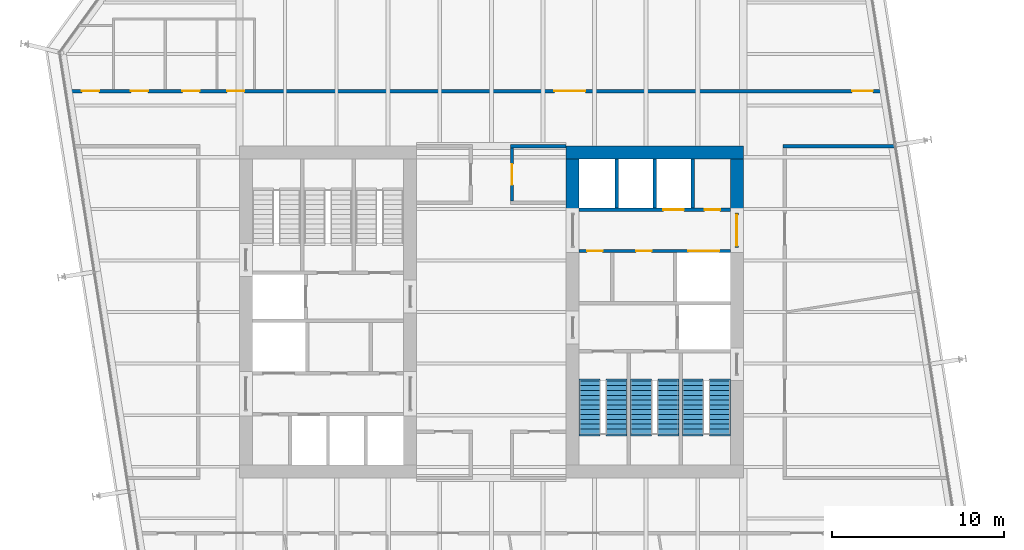
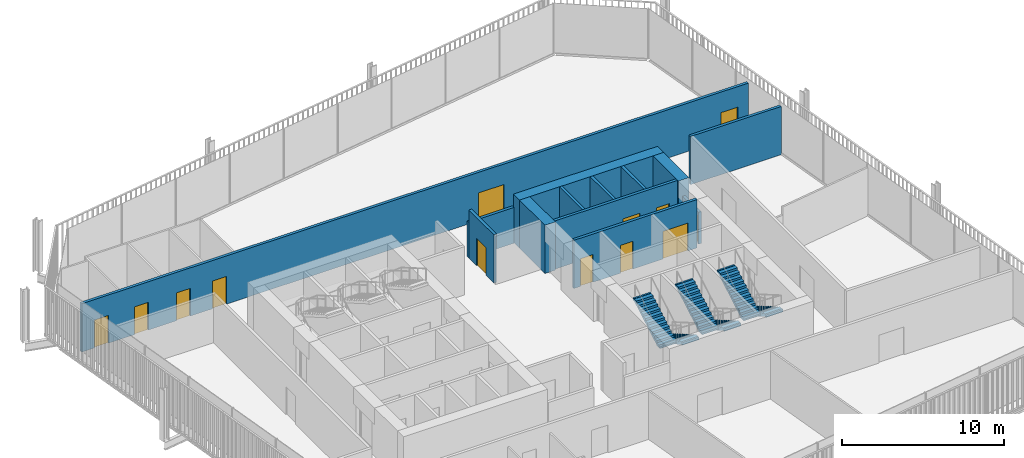
# One storey, part 19 of 21: 13 doors, 13 walls, 6 stair flights, 13 openings, 3 elements without a shape of their own.
"""IFC4 building model written with IfcOpenShell, lengths in metres."""

from ifc_helpers import new_model, si_unit, direction, frame, frame_2d, origin, place, context, subcontext, project, spatial, polyline, rectangle, outline, extrude, material, layer, layer_set, type_object, element, fill, aggregate, save


model = new_model("IFC4")

# Units and contexts
model_context = context("Model", 3, precision=1e-05, world=origin(), true_north=direction((0.0, 1.0)))
body_context = subcontext(model_context, "Body", "Model", "MODEL_VIEW")
ifc_project = project(units=[si_unit("LENGTHUNIT", "METRE"), si_unit("AREAUNIT", "SQUARE_METRE"), si_unit("VOLUMEUNIT", "CUBIC_METRE"), si_unit("PLANEANGLEUNIT", "RADIAN"), si_unit("MASSUNIT", "GRAM", prefix="KILO")], contexts=[model_context])

# Site, building, storey
site_placement = place(None, origin())
site = spatial("IfcSite", under=ifc_project, at=site_placement, CompositionType="ELEMENT")
building_placement = place(site_placement, origin())
building = spatial("IfcBuilding", under=site, at=building_placement, Name="Millrace Tower", CompositionType="ELEMENT")
storey_placement = place(building_placement, frame((0.0, 0.0, 191.699951171875)))
storey = spatial("IfcBuildingStorey", under=building, at=storey_placement, Name="L43", CompositionType="ELEMENT", Elevation=191.699951171875)

# Walls
ifc_material_1 = material(Name="Concrete C70", Category="concrete")
ifc_layer_1 = layer(ifc_material_1, 0.75)
ifc_layer_set_1 = layer_set([ifc_layer_1], Name="Concrete C70")
wall_type_1 = type_object("IfcWallType", Name="Core wall 750 Concrete C70", PredefinedType="SHEAR", material=ifc_layer_set_1)
wall_1_placement = place(storey_placement, frame((14.64990234375, 9.27490234375, 0.0), z_axis=(0.0, 0.0, 1.0), x_axis=(-1.0, 0.0, 0.0)))
element("IfcWall", 1, at=wall_1_placement, inside=storey, type_object=wall_type_1, Name="Core wall E L43", PredefinedType="SHEAR", context=body_context, shape_type="SweptSolid", body=[
    extrude(rectangle(XDim=10.2998046875, YDim=0.75, at=frame_2d((5.14990234375, 0.0))), origin(), (0.0, 0.0, 1.0), 3.650146484375),
])
for number, where, z_axis, x_axis, name in (
    (2, (14.27490234375, 8.89990234375, 0.0), (0.0, 0.0, 1.0), (0.0, -1.0, 0.0), "Core wall E L43"),
    (3, (4.72509765625, 8.89990234375, 0.0), (0.0, 0.0, 1.0), (0.0, -1.0, 0.0), "Core wall E L43"),
):
    element("IfcWall", number, at=place(storey_placement, frame(where, z_axis=z_axis, x_axis=x_axis)), inside=storey, type_object=wall_type_1, Name=name, PredefinedType="SHEAR", context=body_context, shape_type="SweptSolid", body=[
        extrude(rectangle(XDim=3.14990234375, YDim=0.75, at=frame_2d((1.574951171875, 0.0))), origin(), (0.0, 0.0, 1.0), 3.650146484375),
    ])
ifc_material_2 = material(Name="Masonry partition, fire-rated", Category="masonry")
ifc_layer_2 = layer(ifc_material_2, 0.199951171875)
ifc_layer_set_2 = layer_set([ifc_layer_2], Name="Masonry partition, fire-rated")
wall_type_2 = type_object("IfcWallType", Name="Corridor wall 200", PredefinedType="PARTITIONING", material=ifc_layer_set_2)
wall_2_placement = place(storey_placement, frame((1.10009765625, 9.64990234375, 0.0), z_axis=(0.0, 0.0, 1.0), x_axis=(1.0, 0.0, 0.0)))
element("IfcWall", 4, at=wall_2_placement, inside=storey, type_object=wall_type_2, Name="Corridor wall L43", PredefinedType="PARTITIONING", context=body_context, shape_type="SweptSolid", body=[
    extrude(rectangle(XDim=3.25, YDim=0.199951171875, at=frame_2d((1.625, 0.0))), origin(), (0.0, 0.0, 1.0), 2.70263671875),
])
wall_3_placement = place(storey_placement, frame((16.949951171875, 9.64990234375, 0.0), z_axis=(0.0, 0.0, 1.0), x_axis=(1.0, 0.0, 0.0)))
element("IfcWall", 5, at=wall_3_placement, inside=storey, type_object=wall_type_2, Name="Corridor wall L43", PredefinedType="PARTITIONING", context=body_context, shape_type="SweptSolid", body=[
    extrude(rectangle(XDim=6.489501953125, YDim=0.199951171875, at=frame_2d((3.24462890625, 0.0))), origin(), (0.0, 0.0, 1.0), 3.650146484375),
])

# Wall, openings, doors
wall_4_placement = place(storey_placement, frame((-24.7138671875, 12.85009765625, 0.0), z_axis=(0.0, 0.0, 1.0), x_axis=(1.0, 0.0, 0.0)))
wall_4 = element("IfcWall", 6, at=wall_4_placement, inside=storey, type_object=wall_type_2, Name="Corridor wall L43", PredefinedType="PARTITIONING", context=body_context, shape_type="SweptSolid", body=[
    extrude(rectangle(XDim=47.646484375, YDim=0.199951171875, at=frame_2d((23.8232421875, 0.0))), origin(), (0.0, 0.0, 1.0), 3.650146484375),
])
opening_1_placement = place(wall_4_placement, frame((28.37353515625, 0.0, 0.0)))
opening_1 = element("IfcOpeningElement", 7, at=opening_1_placement, cuts=wall_4, Name="Opening 43-P005", PredefinedType="OPENING", context=body_context, shape_type="SweptSolid", body=[
    extrude(rectangle(XDim=1.800048828125, YDim=2.10009765625, at=frame_2d((0.89990234375, 1.050048828125))), frame((0.0, 0.10986328125, 0.0), z_axis=(0.0, -1.0, 0.0), x_axis=(1.0, 0.0, 0.0)), (0.0, 0.0, 1.0), 0.219970703125),
])
opening_2_placement = place(wall_4_placement, frame((0.90087890625, 0.0, 0.0)))
opening_2 = element("IfcOpeningElement", 8, at=opening_2_placement, cuts=wall_4, Name="Opening 43-P006", PredefinedType="OPENING", context=body_context, shape_type="SweptSolid", body=[
    extrude(rectangle(XDim=1.0, YDim=2.10009765625, at=frame_2d((0.5, 1.050048828125))), frame((0.0, 0.10986328125, 0.0), z_axis=(0.0, -1.0, 0.0), x_axis=(1.0, 0.0, 0.0)), (0.0, 0.0, 1.0), 0.219970703125),
])
opening_3_placement = place(wall_4_placement, frame((3.7509765625, 0.0, 0.0)))
opening_3 = element("IfcOpeningElement", 9, at=opening_3_placement, cuts=wall_4, Name="Opening 43-P017", PredefinedType="OPENING", context=body_context, shape_type="SweptSolid", body=[
    extrude(rectangle(XDim=1.0, YDim=2.10009765625, at=frame_2d((0.5, 1.050048828125))), frame((0.0, 0.10986328125, 0.0), z_axis=(0.0, -1.0, 0.0), x_axis=(1.0, 0.0, 0.0)), (0.0, 0.0, 1.0), 0.219970703125),
])
opening_4_placement = place(wall_4_placement, frame((6.7509765625, 0.0, 0.0)))
opening_4 = element("IfcOpeningElement", 10, at=opening_4_placement, cuts=wall_4, Name="Opening 43-P018", PredefinedType="OPENING", context=body_context, shape_type="SweptSolid", body=[
    extrude(rectangle(XDim=1.0, YDim=2.10009765625, at=frame_2d((0.5, 1.050048828125))), frame((0.0, 0.10986328125, 0.0), z_axis=(0.0, -1.0, 0.0), x_axis=(1.0, 0.0, 0.0)), (0.0, 0.0, 1.0), 0.219970703125),
])
opening_5_placement = place(wall_4_placement, frame((9.35107421875, 0.0, 0.0)))
opening_5 = element("IfcOpeningElement", 11, at=opening_5_placement, cuts=wall_4, Name="Opening 43-P019", PredefinedType="OPENING", context=body_context, shape_type="SweptSolid", body=[
    extrude(rectangle(XDim=1.0, YDim=2.10009765625, at=frame_2d((0.5, 1.050048828125))), frame((0.0, 0.10986328125, 0.0), z_axis=(0.0, -1.0, 0.0), x_axis=(1.0, 0.0, 0.0)), (0.0, 0.0, 1.0), 0.219970703125),
])
opening_6_placement = place(wall_4_placement, frame((45.696044921875, 0.0, 0.0)))
opening_6 = element("IfcOpeningElement", 12, at=opening_6_placement, cuts=wall_4, Name="Opening 43-P020", PredefinedType="OPENING", context=body_context, shape_type="SweptSolid", body=[
    extrude(rectangle(XDim=1.199951171875, YDim=2.10009765625, at=frame_2d((0.60009765625, 1.050048828125))), frame((0.0, 0.10986328125, 0.0), z_axis=(0.0, -1.0, 0.0), x_axis=(1.0, 0.0, 0.0)), (0.0, 0.0, 1.0), 0.219970703125),
])
ifc_material_3 = material(Name="Steel door set, fire-rated", Category="steel")
door_type_1 = type_object("IfcDoorType", Name="Corridor door 1000 x 2100", OperationType="SINGLE_SWING_LEFT", PredefinedType="DOOR", material=ifc_material_3)
door_1_placement = place(opening_2_placement, origin())
door_1 = element("IfcDoor", 13, at=door_1_placement, inside=storey, type_object=door_type_1, Name="Door 43-P006", OperationType="SINGLE_SWING_LEFT", OverallHeight=2.10009765625, OverallWidth=1.0, PredefinedType="DOOR", context=body_context, shape_type="SweptSolid", body=[
    extrude(rectangle(XDim=1.0, YDim=2.10009765625, at=frame_2d((0.5, 1.050048828125))), frame((0.0, 0.02490234375, 0.0), z_axis=(0.0, -1.0, 0.0), x_axis=(1.0, 0.0, 0.0)), (0.0, 0.0, 1.0), 0.050048828125),
])
fill(opening_2, door_1)
door_2_placement = place(opening_3_placement, origin())
door_2 = element("IfcDoor", 14, at=door_2_placement, inside=storey, type_object=door_type_1, Name="Door 43-P017", OperationType="SINGLE_SWING_LEFT", OverallHeight=2.10009765625, OverallWidth=1.0, PredefinedType="DOOR", context=body_context, shape_type="SweptSolid", body=[
    extrude(rectangle(XDim=1.0, YDim=2.10009765625, at=frame_2d((0.5, 1.050048828125))), frame((0.0, 0.02490234375, 0.0), z_axis=(0.0, -1.0, 0.0), x_axis=(1.0, 0.0, 0.0)), (0.0, 0.0, 1.0), 0.050048828125),
])
fill(opening_3, door_2)
door_3_placement = place(opening_4_placement, origin())
door_3 = element("IfcDoor", 15, at=door_3_placement, inside=storey, type_object=door_type_1, Name="Door 43-P018", OperationType="SINGLE_SWING_LEFT", OverallHeight=2.10009765625, OverallWidth=1.0, PredefinedType="DOOR", context=body_context, shape_type="SweptSolid", body=[
    extrude(rectangle(XDim=1.0, YDim=2.10009765625, at=frame_2d((0.5, 1.050048828125))), frame((0.0, 0.02490234375, 0.0), z_axis=(0.0, -1.0, 0.0), x_axis=(1.0, 0.0, 0.0)), (0.0, 0.0, 1.0), 0.050048828125),
])
fill(opening_4, door_3)
door_4_placement = place(opening_5_placement, origin())
door_4 = element("IfcDoor", 16, at=door_4_placement, inside=storey, type_object=door_type_1, Name="Door 43-P019", OperationType="SINGLE_SWING_LEFT", OverallHeight=2.10009765625, OverallWidth=1.0, PredefinedType="DOOR", context=body_context, shape_type="SweptSolid", body=[
    extrude(rectangle(XDim=1.0, YDim=2.10009765625, at=frame_2d((0.5, 1.050048828125))), frame((0.0, 0.02490234375, 0.0), z_axis=(0.0, -1.0, 0.0), x_axis=(1.0, 0.0, 0.0)), (0.0, 0.0, 1.0), 0.050048828125),
])
fill(opening_5, door_4)
ifc_material_4 = material(Name="Steel door set, fire-rated", Category="steel")
door_type_2 = type_object("IfcDoorType", Name="Corridor door 1200 x 2100", OperationType="SINGLE_SWING_LEFT", PredefinedType="DOOR", material=ifc_material_4)
door_5_placement = place(opening_6_placement, frame((1.199951171875, 0.0, 0.0), z_axis=(0.0, 0.0, 1.0), x_axis=(-1.0, 0.0, 0.0)))
door_5 = element("IfcDoor", 17, at=door_5_placement, inside=storey, type_object=door_type_2, Name="Door 43-P020", OperationType="SINGLE_SWING_LEFT", OverallHeight=2.10009765625, OverallWidth=1.199951171875, PredefinedType="DOOR", context=body_context, shape_type="SweptSolid", body=[
    extrude(rectangle(XDim=1.199951171875, YDim=2.10009765625, at=frame_2d((0.60009765625, 1.050048828125))), frame((0.0, 0.02490234375, 0.0), z_axis=(0.0, -1.0, 0.0), x_axis=(1.0, 0.0, 0.0)), (0.0, 0.0, 1.0), 0.050048828125),
])
fill(opening_6, door_5)
ifc_material_5 = material(Name="Steel door set, fire-rated", Category="steel")
door_type_3 = type_object("IfcDoorType", Name="Corridor door 1800 x 2100", OperationType="DOUBLE_DOOR_SINGLE_SWING", PredefinedType="DOOR", material=ifc_material_5)
door_6_placement = place(opening_1_placement, frame((1.800048828125, 0.0, 0.0), z_axis=(0.0, 0.0, 1.0), x_axis=(-1.0, 0.0, 0.0)))
door_6 = element("IfcDoor", 18, at=door_6_placement, inside=storey, type_object=door_type_3, Name="Door 43-P005", OperationType="DOUBLE_DOOR_SINGLE_SWING", OverallHeight=2.10009765625, OverallWidth=1.800048828125, PredefinedType="DOOR", context=body_context, shape_type="SweptSolid", body=[
    extrude(rectangle(XDim=1.800048828125, YDim=2.10009765625, at=frame_2d((0.89990234375, 1.050048828125))), frame((0.0, 0.02490234375, 0.0), z_axis=(0.0, -1.0, 0.0), x_axis=(1.0, 0.0, 0.0)), (0.0, 0.0, 1.0), 0.050048828125),
])
fill(opening_1, door_6)

# Wall, opening, door
wall_5_placement = place(storey_placement, frame((1.199951171875, 6.449951171875, 0.0), z_axis=(0.0, 0.0, 1.0), x_axis=(0.0, 1.0, 0.0)))
wall_5 = element("IfcWall", 19, at=wall_5_placement, inside=storey, type_object=wall_type_2, Name="Corridor wall L43", PredefinedType="PARTITIONING", context=body_context, shape_type="SweptSolid", body=[
    extrude(rectangle(XDim=3.10009765625, YDim=0.199951171875, at=frame_2d((1.550048828125, 0.0))), origin(), (0.0, 0.0, 1.0), 3.650146484375),
])
opening_7_placement = place(wall_5_placement, frame((0.949951171875, 0.0, 0.0)))
opening_7 = element("IfcOpeningElement", 20, at=opening_7_placement, cuts=wall_5, Name="Opening 43-P002", PredefinedType="OPENING", context=body_context, shape_type="SweptSolid", body=[
    extrude(rectangle(XDim=1.199951171875, YDim=2.10009765625, at=frame_2d((0.60009765625, 1.050048828125))), frame((0.0, 0.10986328125, 0.0), z_axis=(0.0, -1.0, 0.0), x_axis=(1.0, 0.0, 0.0)), (0.0, 0.0, 1.0), 0.219970703125),
])
door_7_placement = place(opening_7_placement, frame((1.199951171875, 0.0, 0.0), z_axis=(0.0, 0.0, 1.0), x_axis=(-1.0, 0.0, 0.0)))
door_7 = element("IfcDoor", 21, at=door_7_placement, inside=storey, type_object=door_type_2, Name="Door 43-P002", OperationType="SINGLE_SWING_RIGHT", OverallHeight=2.10009765625, OverallWidth=1.199951171875, PredefinedType="DOOR", context=body_context, shape_type="SweptSolid", body=[
    extrude(rectangle(XDim=1.199951171875, YDim=2.10009765625, at=frame_2d((0.60009765625, 1.050048828125))), frame((0.0, 0.02490234375, 0.0), z_axis=(0.0, -1.0, 0.0), x_axis=(1.0, 0.0, 0.0)), (0.0, 0.0, 1.0), 0.050048828125),
])
fill(opening_7, door_7)

# Wall, openings, doors
ifc_material_6 = material(Name="Masonry partition, fire-rated", Category="masonry")
ifc_layer_3 = layer(ifc_material_6, 0.199951171875)
ifc_layer_set_3 = layer_set([ifc_layer_3], Name="Masonry partition, fire-rated")
wall_type_3 = type_object("IfcWallType", Name="Lift shaft wall 200", PredefinedType="PARTITIONING", material=ifc_layer_set_3)
wall_6_placement = place(storey_placement, frame((13.89990234375, 5.949951171875, 0.0), z_axis=(0.0, 0.0, 1.0), x_axis=(-1.0, 0.0, 0.0)))
wall_6 = element("IfcWall", 22, at=wall_6_placement, inside=storey, type_object=wall_type_3, Name="Lift shaft wall E L43", PredefinedType="PARTITIONING", context=body_context, shape_type="SweptSolid", body=[
    extrude(rectangle(XDim=8.7998046875, YDim=0.199951171875, at=frame_2d((4.39990234375, 0.0))), origin(), (0.0, 0.0, 1.0), 3.650146484375),
])
opening_8_placement = place(wall_6_placement, frame((2.699951171875, 0.0, 0.0)))
opening_8 = element("IfcOpeningElement", 23, at=opening_8_placement, cuts=wall_6, Name="Opening 43-LD10", PredefinedType="OPENING", context=body_context, shape_type="SweptSolid", body=[
    extrude(rectangle(XDim=1.199951171875, YDim=2.10009765625, at=frame_2d((0.60009765625, 1.050048828125))), frame((0.0, 0.10986328125, 0.0), z_axis=(0.0, -1.0, 0.0), x_axis=(1.0, 0.0, 0.0)), (0.0, 0.0, 1.0), 0.219970703125),
])
opening_9_placement = place(wall_6_placement, frame((0.60009765625, 0.0, 0.0)))
opening_9 = element("IfcOpeningElement", 24, at=opening_9_placement, cuts=wall_6, Name="Opening 43-C014", PredefinedType="OPENING", context=body_context, shape_type="SweptSolid", body=[
    extrude(rectangle(XDim=0.89990234375, YDim=2.10009765625, at=frame_2d((0.449951171875, 1.050048828125))), frame((0.0, 0.10986328125, 0.0), z_axis=(0.0, -1.0, 0.0), x_axis=(1.0, 0.0, 0.0)), (0.0, 0.0, 1.0), 0.219970703125),
])
ifc_material_7 = material(Name="Stainless steel, fire-rated", Category="steel")
door_type_4 = type_object("IfcDoorType", Name="Lift landing door 1200 x 2100", OperationType="DOUBLE_DOOR_SLIDING", PredefinedType="DOOR", material=ifc_material_7)
door_8_placement = place(opening_8_placement, origin())
door_8 = element("IfcDoor", 25, at=door_8_placement, inside=storey, type_object=door_type_4, Name="Lift landing door LF10 L43", OperationType="DOUBLE_DOOR_SLIDING", OverallHeight=2.10009765625, OverallWidth=1.199951171875, PredefinedType="DOOR", context=body_context, shape_type="SweptSolid", body=[
    extrude(rectangle(XDim=1.199951171875, YDim=2.10009765625, at=frame_2d((0.60009765625, 1.050048828125))), frame((0.0, 0.02490234375, 0.0), z_axis=(0.0, -1.0, 0.0), x_axis=(1.0, 0.0, 0.0)), (0.0, 0.0, 1.0), 0.050048828125),
])
fill(opening_8, door_8)
ifc_material_8 = material(Name="Steel door, fire-rated", Category="steel")
door_type_5 = type_object("IfcDoorType", Name="Service room door 900 x 2100", OperationType="SINGLE_SWING_LEFT", PredefinedType="DOOR", material=ifc_material_8)
door_9_placement = place(opening_9_placement, frame((0.89990234375, 0.0, 0.0), z_axis=(0.0, 0.0, 1.0), x_axis=(-1.0, 0.0, 0.0)))
door_9 = element("IfcDoor", 26, at=door_9_placement, inside=storey, type_object=door_type_5, Name="Service room door 43-C014", OperationType="SINGLE_SWING_RIGHT", OverallHeight=2.10009765625, OverallWidth=0.89990234375, PredefinedType="DOOR", context=body_context, shape_type="SweptSolid", body=[
    extrude(rectangle(XDim=0.89990234375, YDim=2.10009765625, at=frame_2d((0.449951171875, 1.050048828125))), frame((0.0, 0.02490234375, 0.0), z_axis=(0.0, -1.0, 0.0), x_axis=(1.0, 0.0, 0.0)), (0.0, 0.0, 1.0), 0.050048828125),
])
fill(opening_9, door_9)

wall_7_placement = place(storey_placement, frame((13.89990234375, 3.550048828125, 0.0), z_axis=(0.0, 0.0, 1.0), x_axis=(-1.0, 0.0, 0.0)))
wall_7 = element("IfcWall", 27, at=wall_7_placement, inside=storey, type_object=wall_type_3, Name="Lift shaft wall E L43", PredefinedType="PARTITIONING", context=body_context, shape_type="SweptSolid", body=[
    extrude(rectangle(XDim=8.7998046875, YDim=0.199951171875, at=frame_2d((4.39990234375, 0.0))), origin(), (0.0, 0.0, 1.0), 3.650146484375),
])
opening_10_placement = place(wall_7_placement, frame((0.64990234375, 0.0, 0.0)))
opening_10 = element("IfcOpeningElement", 28, at=opening_10_placement, cuts=wall_7, Name="Opening 43-LD13", PredefinedType="OPENING", context=body_context, shape_type="SweptSolid", body=[
    extrude(rectangle(XDim=1.800048828125, YDim=2.10009765625, at=frame_2d((0.89990234375, 1.050048828125))), frame((0.0, 0.10986328125, 0.0), z_axis=(0.0, -1.0, 0.0), x_axis=(1.0, 0.0, 0.0)), (0.0, 0.0, 1.0), 0.219970703125),
])
opening_11_placement = place(wall_7_placement, frame((4.58740234375, 0.0, 0.0)))
opening_11 = element("IfcOpeningElement", 29, at=opening_11_placement, cuts=wall_7, Name="Opening 43-C015", PredefinedType="OPENING", context=body_context, shape_type="SweptSolid", body=[
    extrude(rectangle(XDim=0.89990234375, YDim=2.10009765625, at=frame_2d((0.449951171875, 1.050048828125))), frame((0.0, 0.10986328125, 0.0), z_axis=(0.0, -1.0, 0.0), x_axis=(1.0, 0.0, 0.0)), (0.0, 0.0, 1.0), 0.219970703125),
])
opening_12_placement = place(wall_7_placement, frame((7.4375, 0.0, 0.0)))
opening_12 = element("IfcOpeningElement", 30, at=opening_12_placement, cuts=wall_7, Name="Opening 43-C016", PredefinedType="OPENING", context=body_context, shape_type="SweptSolid", body=[
    extrude(rectangle(XDim=0.89990234375, YDim=2.10009765625, at=frame_2d((0.449951171875, 1.050048828125))), frame((0.0, 0.10986328125, 0.0), z_axis=(0.0, -1.0, 0.0), x_axis=(1.0, 0.0, 0.0)), (0.0, 0.0, 1.0), 0.219970703125),
])
ifc_material_9 = material(Name="Stainless steel, fire-rated", Category="steel")
door_type_6 = type_object("IfcDoorType", Name="Lift landing door 1800 x 2100", OperationType="DOUBLE_DOOR_SLIDING", PredefinedType="DOOR", material=ifc_material_9)
door_10_placement = place(opening_10_placement, origin())
door_10 = element("IfcDoor", 31, at=door_10_placement, inside=storey, type_object=door_type_6, Name="Lift landing door LF13 L43", OperationType="DOUBLE_DOOR_SLIDING", OverallHeight=2.10009765625, OverallWidth=1.800048828125, PredefinedType="DOOR", context=body_context, shape_type="SweptSolid", body=[
    extrude(rectangle(XDim=1.800048828125, YDim=2.10009765625, at=frame_2d((0.89990234375, 1.050048828125))), frame((0.0, 0.02490234375, 0.0), z_axis=(0.0, -1.0, 0.0), x_axis=(1.0, 0.0, 0.0)), (0.0, 0.0, 1.0), 0.050048828125),
])
fill(opening_10, door_10)
door_11_placement = place(opening_11_placement, origin())
door_11 = element("IfcDoor", 32, at=door_11_placement, inside=storey, type_object=door_type_5, Name="Service room door 43-C015", OperationType="SINGLE_SWING_RIGHT", OverallHeight=2.10009765625, OverallWidth=0.89990234375, PredefinedType="DOOR", context=body_context, shape_type="SweptSolid", body=[
    extrude(rectangle(XDim=0.89990234375, YDim=2.10009765625, at=frame_2d((0.449951171875, 1.050048828125))), frame((0.0, 0.02490234375, 0.0), z_axis=(0.0, -1.0, 0.0), x_axis=(1.0, 0.0, 0.0)), (0.0, 0.0, 1.0), 0.050048828125),
])
fill(opening_11, door_11)
door_12_placement = place(opening_12_placement, origin())
door_12 = element("IfcDoor", 33, at=door_12_placement, inside=storey, type_object=door_type_5, Name="Service room door 43-C016", OperationType="SINGLE_SWING_RIGHT", OverallHeight=2.10009765625, OverallWidth=0.89990234375, PredefinedType="DOOR", context=body_context, shape_type="SweptSolid", body=[
    extrude(rectangle(XDim=0.89990234375, YDim=2.10009765625, at=frame_2d((0.449951171875, 1.050048828125))), frame((0.0, 0.02490234375, 0.0), z_axis=(0.0, -1.0, 0.0), x_axis=(1.0, 0.0, 0.0)), (0.0, 0.0, 1.0), 0.050048828125),
])
fill(opening_12, door_12)

# Walls
for number, where, z_axis, x_axis, name in (
    (34, (11.699951171875, 8.89990234375, 0.0), (0.0, 0.0, 1.0), (0.0, -1.0, 0.0), "Lift shaft wall E L43"),
    (35, (9.5, 8.89990234375, 0.0), (0.0, 0.0, 1.0), (0.0, -1.0, 0.0), "Lift shaft wall E L43"),
    (36, (7.300048828125, 8.89990234375, 0.0), (0.0, 0.0, 1.0), (0.0, -1.0, 0.0), "Lift shaft wall E L43"),
):
    element("IfcWall", number, at=place(storey_placement, frame(where, z_axis=z_axis, x_axis=x_axis)), inside=storey, type_object=wall_type_3, Name=name, PredefinedType="PARTITIONING", context=body_context, shape_type="SweptSolid", body=[
        extrude(rectangle(XDim=2.849853515625, YDim=0.199951171875, at=frame_2d((1.4248046875, 0.0))), origin(), (0.0, 0.0, 1.0), 3.650146484375),
    ])

# Wall, opening, door
ifc_material_10 = material(Name="Masonry partition, fire-rated", Category="masonry")
ifc_layer_4 = layer(ifc_material_10, 0.199951171875)
ifc_layer_set_4 = layer_set([ifc_layer_4], Name="Masonry partition, fire-rated")
wall_type_4 = type_object("IfcWallType", Name="Lobby wall 200", PredefinedType="PARTITIONING", material=ifc_layer_set_4)
wall_8_placement = place(storey_placement, frame((14.27490234375, 5.75, 0.0), z_axis=(0.0, 0.0, 1.0), x_axis=(0.0, -1.0, 0.0)))
wall_8 = element("IfcWall", 37, at=wall_8_placement, inside=storey, type_object=wall_type_4, Name="Lobby wall E L43", PredefinedType="PARTITIONING", context=body_context, shape_type="SweptSolid", body=[
    extrude(rectangle(XDim=2.0, YDim=0.199951171875, at=frame_2d((1.0, 0.0))), origin(), (0.0, 0.0, 1.0), 2.400146484375),
])
opening_13_placement = place(wall_8_placement, frame((0.10009765625, 0.0, 0.0)))
opening_13 = element("IfcOpeningElement", 38, at=opening_13_placement, cuts=wall_8, Name="Opening 43-C010", PredefinedType="OPENING", context=body_context, shape_type="SweptSolid", body=[
    extrude(rectangle(XDim=1.800048828125, YDim=2.10009765625, at=frame_2d((0.89990234375, 1.050048828125))), frame((0.0, 0.10986328125, 0.0), z_axis=(0.0, -1.0, 0.0), x_axis=(1.0, 0.0, 0.0)), (0.0, 0.0, 1.0), 0.219970703125),
])
ifc_material_11 = material(Name="Steel door, fire-rated", Category="steel")
door_type_7 = type_object("IfcDoorType", Name="Lobby door 1800 x 2100", OperationType="DOUBLE_DOOR_SINGLE_SWING", PredefinedType="DOOR", material=ifc_material_11)
door_13_placement = place(opening_13_placement, origin())
door_13 = element("IfcDoor", 39, at=door_13_placement, inside=storey, type_object=door_type_7, Name="Lobby door 43-C010", OperationType="DOUBLE_DOOR_SINGLE_SWING", OverallHeight=2.10009765625, OverallWidth=1.800048828125, PredefinedType="DOOR", context=body_context, shape_type="SweptSolid", body=[
    extrude(rectangle(XDim=1.800048828125, YDim=2.10009765625, at=frame_2d((0.89990234375, 1.050048828125))), frame((0.0, 0.02490234375, 0.0), z_axis=(0.0, -1.0, 0.0), x_axis=(1.0, 0.0, 0.0)), (0.0, 0.0, 1.0), 0.050048828125),
])
fill(opening_13, door_13)

# Stair, stair flights
ifc_material_12 = material(Name="Concrete C35", Category="concrete")
stair_type = type_object("IfcStairType", Name="Exit stair", PredefinedType="HALF_TURN_STAIR", material=ifc_material_12)
placement = place(storey_placement, origin())
stair_1 = element("IfcStair", 40, at=placement, inside=storey, type_object=stair_type, Name="Stair 1 E L43", PredefinedType="HALF_TURN_STAIR")
ifc_material_13 = material(Name="Concrete C35", Category="concrete")
stair_flight_type = type_object("IfcStairFlightType", Name="Exit stair flight", PredefinedType="STRAIGHT", material=ifc_material_13)
stair_flight_1_placement = place(storey_placement, frame((13.2900390625, -4.0, 0.0), z_axis=(0.0, 0.0, 1.0), x_axis=(0.0, -1.0, 0.0)))
stair_flight_1 = element("IfcStairFlight", 41, at=stair_flight_1_placement, type_object=stair_flight_type, Name="ST12 flight 1", NumberOfRisers=12, NumberOfTreads=11, PredefinedType="STRAIGHT", RiserHeight=0.1625, TreadLength=0.28, context=body_context, shape_type="SweptSolid", body=[
    extrude(outline(polyline([(-0.1201171875, -0.0400390625), (-0.1201171875, 0.0), (0.0, 0.0), (0.0, 0.16259765625), (0.280029296875, 0.16259765625), (0.280029296875, 0.324951171875), (0.56005859375, 0.324951171875), (0.56005859375, 0.487548828125), (0.840087890625, 0.487548828125), (0.840087890625, 0.64990234375), (1.1201171875, 0.64990234375), (1.1201171875, 0.8125), (1.39990234375, 0.8125), (1.39990234375, 0.97509765625), (1.679931640625, 0.97509765625), (1.679931640625, 1.137451171875), (1.9599609375, 1.137451171875), (1.9599609375, 1.300048828125), (2.239990234375, 1.300048828125), (2.239990234375, 1.46240234375), (2.52001953125, 1.46240234375), (2.52001953125, 1.625), (2.800048828125, 1.625), (2.800048828125, 1.78759765625), (3.080078125, 1.78759765625), (3.080078125, 1.8076171875), (3.199951171875, 1.8076171875), (3.199951171875, 1.6142578125), (3.080078125, 1.6142578125), (0.298583984375, 0.0), (0.298583984375, -0.0400390625), (-0.1201171875, -0.0400390625)])), frame((0.0, 0.60986328125, 0.0), z_axis=(0.0, -1.0, 0.0), x_axis=(1.0, 0.0, 0.0)), (0.0, 0.0, 1.0), 1.219970703125),
])
stair_flight_2_placement = place(storey_placement, frame((11.7099609375, -7.080078125, 1.949951171875), z_axis=(0.0, 0.0, 1.0), x_axis=(0.0, 1.0, 0.0)))
stair_flight_2 = element("IfcStairFlight", 42, at=stair_flight_2_placement, type_object=stair_flight_type, Name="ST12 flight 2", NumberOfRisers=12, NumberOfTreads=11, PredefinedType="STRAIGHT", RiserHeight=0.1625, TreadLength=0.28, context=body_context, shape_type="SweptSolid", body=[
    extrude(outline(polyline([(-0.1201171875, -0.0400390625), (-0.1201171875, 0.0), (0.0, 0.0), (0.0, 0.16259765625), (0.280029296875, 0.16259765625), (0.280029296875, 0.324951171875), (0.56005859375, 0.324951171875), (0.56005859375, 0.487548828125), (0.840087890625, 0.487548828125), (0.840087890625, 0.64990234375), (1.1201171875, 0.64990234375), (1.1201171875, 0.8125), (1.39990234375, 0.8125), (1.39990234375, 0.97509765625), (1.679931640625, 0.97509765625), (1.679931640625, 1.137451171875), (1.9599609375, 1.137451171875), (1.9599609375, 1.300048828125), (2.239990234375, 1.300048828125), (2.239990234375, 1.46240234375), (2.52001953125, 1.46240234375), (2.52001953125, 1.625), (2.800048828125, 1.625), (2.800048828125, 1.78759765625), (3.080078125, 1.78759765625), (3.080078125, 1.8076171875), (3.199951171875, 1.8076171875), (3.199951171875, 1.6142578125), (3.080078125, 1.6142578125), (0.298583984375, 0.0), (0.298583984375, -0.0400390625), (-0.1201171875, -0.0400390625)])), frame((0.0, 0.60986328125, 0.0), z_axis=(0.0, -1.0, 0.0), x_axis=(1.0, 0.0, 0.0)), (0.0, 0.0, 1.0), 1.219970703125),
])
aggregate(stair_1, [stair_flight_1, stair_flight_2])

stair_2 = element("IfcStair", 43, at=placement, inside=storey, type_object=stair_type, Name="Stair 2 E L43", PredefinedType="HALF_TURN_STAIR")
stair_flight_3_placement = place(storey_placement, frame((10.2900390625, -4.0, 0.0), z_axis=(0.0, 0.0, 1.0), x_axis=(0.0, -1.0, 0.0)))
stair_flight_3 = element("IfcStairFlight", 44, at=stair_flight_3_placement, type_object=stair_flight_type, Name="ST12 flight 1", NumberOfRisers=12, NumberOfTreads=11, PredefinedType="STRAIGHT", RiserHeight=0.1625, TreadLength=0.28, context=body_context, shape_type="SweptSolid", body=[
    extrude(outline(polyline([(-0.1201171875, -0.0400390625), (-0.1201171875, 0.0), (0.0, 0.0), (0.0, 0.16259765625), (0.280029296875, 0.16259765625), (0.280029296875, 0.324951171875), (0.56005859375, 0.324951171875), (0.56005859375, 0.487548828125), (0.840087890625, 0.487548828125), (0.840087890625, 0.64990234375), (1.1201171875, 0.64990234375), (1.1201171875, 0.8125), (1.39990234375, 0.8125), (1.39990234375, 0.97509765625), (1.679931640625, 0.97509765625), (1.679931640625, 1.137451171875), (1.9599609375, 1.137451171875), (1.9599609375, 1.300048828125), (2.239990234375, 1.300048828125), (2.239990234375, 1.46240234375), (2.52001953125, 1.46240234375), (2.52001953125, 1.625), (2.800048828125, 1.625), (2.800048828125, 1.78759765625), (3.080078125, 1.78759765625), (3.080078125, 1.8076171875), (3.199951171875, 1.8076171875), (3.199951171875, 1.6142578125), (3.080078125, 1.6142578125), (0.298583984375, 0.0), (0.298583984375, -0.0400390625), (-0.1201171875, -0.0400390625)])), frame((0.0, 0.60986328125, 0.0), z_axis=(0.0, -1.0, 0.0), x_axis=(1.0, 0.0, 0.0)), (0.0, 0.0, 1.0), 1.219970703125),
])
stair_flight_4_placement = place(storey_placement, frame((8.7099609375, -7.080078125, 1.949951171875), z_axis=(0.0, 0.0, 1.0), x_axis=(0.0, 1.0, 0.0)))
stair_flight_4 = element("IfcStairFlight", 45, at=stair_flight_4_placement, type_object=stair_flight_type, Name="ST12 flight 2", NumberOfRisers=12, NumberOfTreads=11, PredefinedType="STRAIGHT", RiserHeight=0.1625, TreadLength=0.28, context=body_context, shape_type="SweptSolid", body=[
    extrude(outline(polyline([(-0.1201171875, -0.0400390625), (-0.1201171875, 0.0), (0.0, 0.0), (0.0, 0.16259765625), (0.280029296875, 0.16259765625), (0.280029296875, 0.324951171875), (0.56005859375, 0.324951171875), (0.56005859375, 0.487548828125), (0.840087890625, 0.487548828125), (0.840087890625, 0.64990234375), (1.1201171875, 0.64990234375), (1.1201171875, 0.8125), (1.39990234375, 0.8125), (1.39990234375, 0.97509765625), (1.679931640625, 0.97509765625), (1.679931640625, 1.137451171875), (1.9599609375, 1.137451171875), (1.9599609375, 1.300048828125), (2.239990234375, 1.300048828125), (2.239990234375, 1.46240234375), (2.52001953125, 1.46240234375), (2.52001953125, 1.625), (2.800048828125, 1.625), (2.800048828125, 1.78759765625), (3.080078125, 1.78759765625), (3.080078125, 1.8076171875), (3.199951171875, 1.8076171875), (3.199951171875, 1.6142578125), (3.080078125, 1.6142578125), (0.298583984375, 0.0), (0.298583984375, -0.0400390625), (-0.1201171875, -0.0400390625)])), frame((0.0, 0.60986328125, 0.0), z_axis=(0.0, -1.0, 0.0), x_axis=(1.0, 0.0, 0.0)), (0.0, 0.0, 1.0), 1.219970703125),
])
aggregate(stair_2, [stair_flight_3, stair_flight_4])

stair_3 = element("IfcStair", 46, at=placement, inside=storey, type_object=stair_type, Name="Stair 3 E L43", PredefinedType="HALF_TURN_STAIR")
stair_flight_5_placement = place(storey_placement, frame((7.2900390625, -4.0, 0.0), z_axis=(0.0, 0.0, 1.0), x_axis=(0.0, -1.0, 0.0)))
stair_flight_5 = element("IfcStairFlight", 47, at=stair_flight_5_placement, type_object=stair_flight_type, Name="ST12 flight 1", NumberOfRisers=12, NumberOfTreads=11, PredefinedType="STRAIGHT", RiserHeight=0.1625, TreadLength=0.28, context=body_context, shape_type="SweptSolid", body=[
    extrude(outline(polyline([(-0.1201171875, -0.0400390625), (-0.1201171875, 0.0), (0.0, 0.0), (0.0, 0.16259765625), (0.280029296875, 0.16259765625), (0.280029296875, 0.324951171875), (0.56005859375, 0.324951171875), (0.56005859375, 0.487548828125), (0.840087890625, 0.487548828125), (0.840087890625, 0.64990234375), (1.1201171875, 0.64990234375), (1.1201171875, 0.8125), (1.39990234375, 0.8125), (1.39990234375, 0.97509765625), (1.679931640625, 0.97509765625), (1.679931640625, 1.137451171875), (1.9599609375, 1.137451171875), (1.9599609375, 1.300048828125), (2.239990234375, 1.300048828125), (2.239990234375, 1.46240234375), (2.52001953125, 1.46240234375), (2.52001953125, 1.625), (2.800048828125, 1.625), (2.800048828125, 1.78759765625), (3.080078125, 1.78759765625), (3.080078125, 1.8076171875), (3.199951171875, 1.8076171875), (3.199951171875, 1.6142578125), (3.080078125, 1.6142578125), (0.298583984375, 0.0), (0.298583984375, -0.0400390625), (-0.1201171875, -0.0400390625)])), frame((0.0, 0.60986328125, 0.0), z_axis=(0.0, -1.0, 0.0), x_axis=(1.0, 0.0, 0.0)), (0.0, 0.0, 1.0), 1.219970703125),
])
stair_flight_6_placement = place(storey_placement, frame((5.7099609375, -7.080078125, 1.949951171875), z_axis=(0.0, 0.0, 1.0), x_axis=(0.0, 1.0, 0.0)))
stair_flight_6 = element("IfcStairFlight", 48, at=stair_flight_6_placement, type_object=stair_flight_type, Name="ST12 flight 2", NumberOfRisers=12, NumberOfTreads=11, PredefinedType="STRAIGHT", RiserHeight=0.1625, TreadLength=0.28, context=body_context, shape_type="SweptSolid", body=[
    extrude(outline(polyline([(-0.1201171875, -0.0400390625), (-0.1201171875, 0.0), (0.0, 0.0), (0.0, 0.16259765625), (0.280029296875, 0.16259765625), (0.280029296875, 0.324951171875), (0.56005859375, 0.324951171875), (0.56005859375, 0.487548828125), (0.840087890625, 0.487548828125), (0.840087890625, 0.64990234375), (1.1201171875, 0.64990234375), (1.1201171875, 0.8125), (1.39990234375, 0.8125), (1.39990234375, 0.97509765625), (1.679931640625, 0.97509765625), (1.679931640625, 1.137451171875), (1.9599609375, 1.137451171875), (1.9599609375, 1.300048828125), (2.239990234375, 1.300048828125), (2.239990234375, 1.46240234375), (2.52001953125, 1.46240234375), (2.52001953125, 1.625), (2.800048828125, 1.625), (2.800048828125, 1.78759765625), (3.080078125, 1.78759765625), (3.080078125, 1.8076171875), (3.199951171875, 1.8076171875), (3.199951171875, 1.6142578125), (3.080078125, 1.6142578125), (0.298583984375, 0.0), (0.298583984375, -0.0400390625), (-0.1201171875, -0.0400390625)])), frame((0.0, 0.60986328125, 0.0), z_axis=(0.0, -1.0, 0.0), x_axis=(1.0, 0.0, 0.0)), (0.0, 0.0, 1.0), 1.219970703125),
])
aggregate(stair_3, [stair_flight_5, stair_flight_6])

save(model, "model.ifc")
